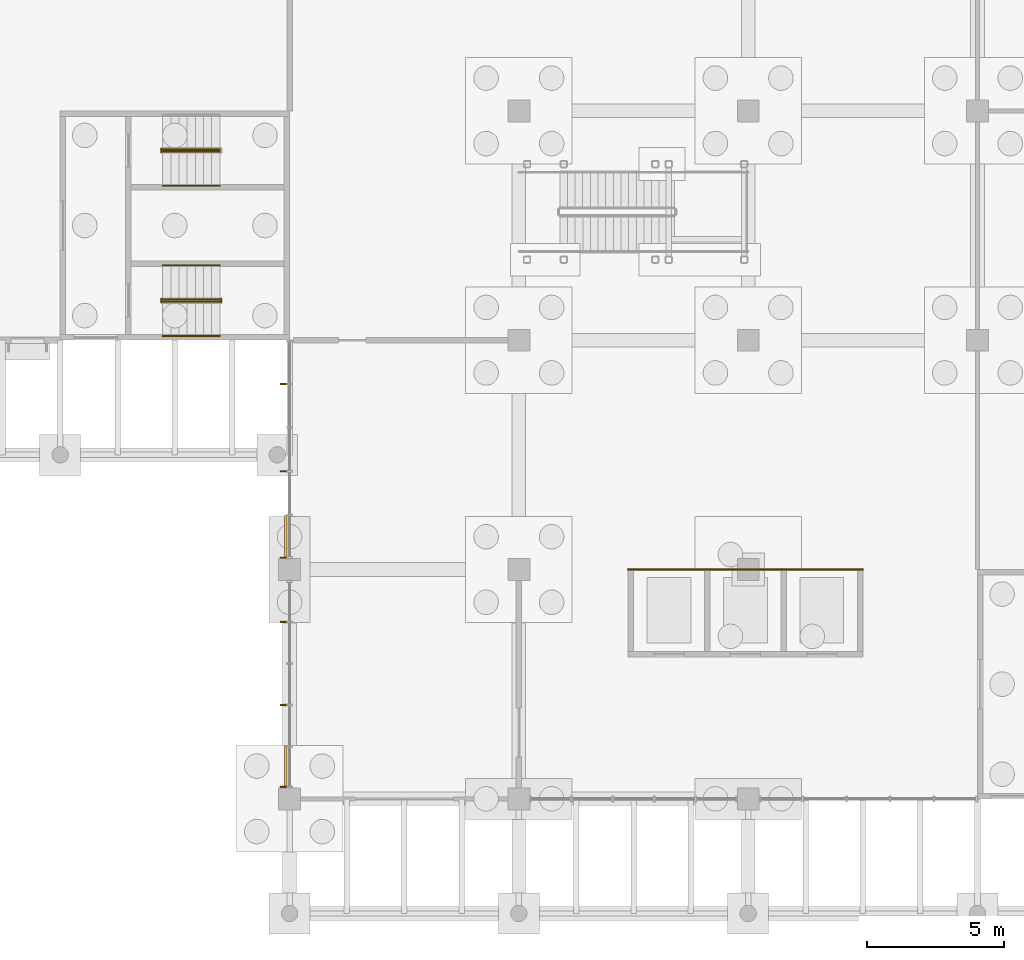
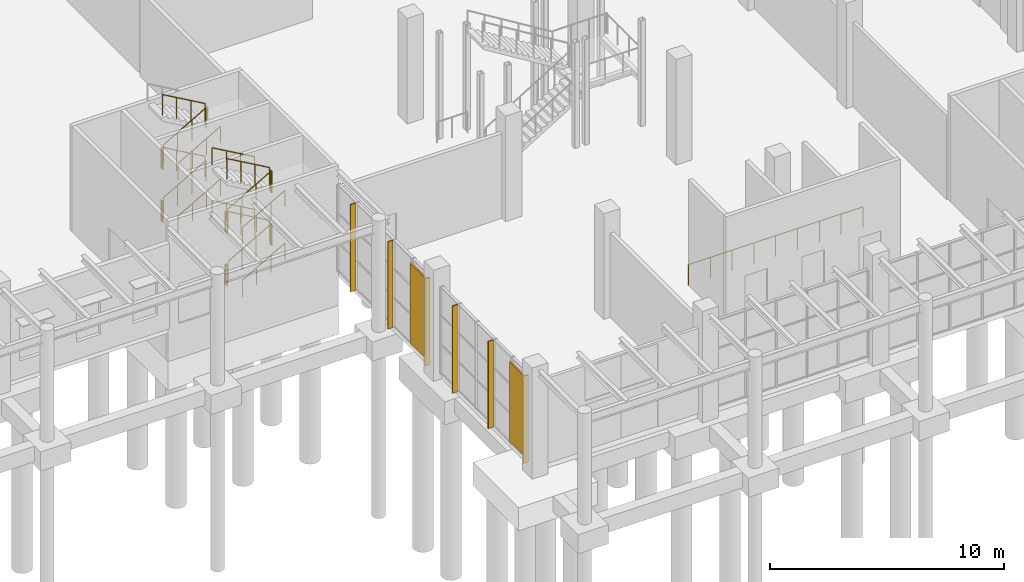
# One storey, part 70 of 82: 21 railings, 8 shading devices.
"""IFC4 building model written with IfcOpenShell, lengths in metres."""

from ifc_helpers import new_model, si_unit, direction, frame, origin, origin_2d, place, context, subcontext, project, spatial, rectangle, circle, extrude, material, material_profile, profile_set, type_object, element, save


model = new_model("IFC4")

# Units and contexts
model_context = context("Model", 3, precision=1e-05, world=origin(), true_north=direction((0.0, 1.0)))
body_context = subcontext(model_context, "Body", "Model", "MODEL_VIEW")
ifc_project = project(units=[si_unit("LENGTHUNIT", "METRE"), si_unit("AREAUNIT", "SQUARE_METRE"), si_unit("VOLUMEUNIT", "CUBIC_METRE"), si_unit("PLANEANGLEUNIT", "RADIAN"), si_unit("MASSUNIT", "GRAM", prefix="KILO")], contexts=[model_context])

# Site, building, storey
site_placement = place(None, origin())
site = spatial("IfcSite", under=ifc_project, at=site_placement, CompositionType="ELEMENT")
building_placement = place(site_placement, origin())
building = spatial("IfcBuilding", under=site, at=building_placement, Name="Almond Square Museum", CompositionType="ELEMENT")
storey_placement = place(building_placement, origin())
storey = spatial("IfcBuildingStorey", under=building, at=storey_placement, Name="L00", CompositionType="ELEMENT", Elevation=0.0)

# Railings
ifc_material_1 = material(Name="Laminated glass and stainless steel", Category="steel")
railing_type_1 = type_object("IfcRailingType", Name="Atrium guard 1100 glass balustrade", PredefinedType="GUARDRAIL", material=ifc_material_1)
railing_1_placement = place(storey_placement, frame((85.60009765625, 75.60009765625, 0.0)))
element("IfcRailing", 1, at=railing_1_placement, inside=storey, type_object=railing_type_1, Name="L00 atrium lift bank guard", PredefinedType="GUARDRAIL", context=body_context, shape_type="SweptSolid", body=[
    extrude(circle(Radius=0.02392578125, at=origin_2d()), frame((0.0, 0.0, 1.076171875), z_axis=(1.0, 0.0, 0.0), x_axis=(0.0, 1.0, 0.0)), (0.0, 0.0, 1.0), 8.599853515625),
    extrude(circle(Radius=0.02099609375, at=origin_2d()), origin(), (0.0, 0.0, 1.0), 1.052001953125),
    extrude(circle(Radius=0.02099609375, at=origin_2d()), frame((1.074951171875, 0.0, 0.0)), (0.0, 0.0, 1.0), 1.052001953125),
    extrude(circle(Radius=0.02099609375, at=origin_2d()), frame((2.14990234375, 0.0, 0.0)), (0.0, 0.0, 1.0), 1.052001953125),
    extrude(circle(Radius=0.02099609375, at=origin_2d()), frame((3.224853515625, 0.0, 0.0)), (0.0, 0.0, 1.0), 1.052001953125),
    extrude(circle(Radius=0.02099609375, at=origin_2d()), frame((4.2998046875, 0.0, 0.0)), (0.0, 0.0, 1.0), 1.052001953125),
    extrude(circle(Radius=0.02099609375, at=origin_2d()), frame((5.375, 0.0, 0.0)), (0.0, 0.0, 1.0), 1.052001953125),
    extrude(circle(Radius=0.02099609375, at=origin_2d()), frame((6.449951171875, 0.0, 0.0)), (0.0, 0.0, 1.0), 1.052001953125),
    extrude(circle(Radius=0.02099609375, at=origin_2d()), frame((7.52490234375, 0.0, 0.0)), (0.0, 0.0, 1.0), 1.052001953125),
    extrude(circle(Radius=0.02099609375, at=origin_2d()), frame((8.599853515625, 0.0, 0.0)), (0.0, 0.0, 1.0), 1.052001953125),
])
ifc_material_2 = material(Name="Stainless steel and laminated glass", Category="steel")
railing_type_2 = type_object("IfcRailingType", Name="Stair guard 1100 steel and glass", PredefinedType="GUARDRAIL", material=ifc_material_2)
railing_2_placement = place(storey_placement, frame((68.550048828125, 85.409912109375, 0.171875)))
element("IfcRailing", 2, at=railing_2_placement, inside=storey, type_object=railing_type_2, Name="L00 ST-19 stair guard 1", PredefinedType="GUARDRAIL", context=body_context, shape_type="SweptSolid", body=[
    extrude(circle(Radius=0.02392578125, at=origin_2d()), frame((0.0, 0.0, 1.076171875), z_axis=(0.867671429157, 0.0, 0.497138100556), x_axis=(0.0, 1.0, 0.0)), (0.0, 0.0, 1.0), 2.420166015625),
    extrude(circle(Radius=0.02099609375, at=origin_2d()), origin(), (0.0, 0.0, 1.0), 1.052001953125),
    extrude(circle(Radius=0.02099609375, at=origin_2d()), frame((0.699951171875, 0.0, 0.401123046875)), (0.0, 0.0, 1.0), 1.052001953125),
    extrude(circle(Radius=0.02099609375, at=origin_2d()), frame((1.39990234375, 0.0, 0.802001953125)), (0.0, 0.0, 1.0), 1.052001953125),
    extrude(circle(Radius=0.02099609375, at=origin_2d()), frame((2.099853515625, 0.0, 1.203125)), (0.0, 0.0, 1.0), 1.052001953125),
])
railing_3_placement = place(storey_placement, frame((70.699951171875, 85.3798828125, 1.375)))
element("IfcRailing", 3, at=railing_3_placement, inside=storey, type_object=railing_type_2, Name="L00 ST-19 stair guard 2", PredefinedType="GUARDRAIL", context=body_context, shape_type="SweptSolid", body=[
    extrude(circle(Radius=0.02392578125, at=origin_2d()), frame((0.0, 0.0, 1.076171875), z_axis=(0.0, 1.0, 0.0), x_axis=(-1.0, 0.0, 0.0)), (0.0, 0.0, 1.0), 0.14013671875),
    extrude(circle(Radius=0.02099609375, at=origin_2d()), origin(), (0.0, 0.0, 1.0), 1.052001953125),
    extrude(circle(Radius=0.02099609375, at=origin_2d()), frame((0.0, 0.14013671875, 0.0)), (0.0, 0.0, 1.0), 1.052001953125),
])
railing_4_placement = place(storey_placement, frame((70.64990234375, 85.489990234375, 1.546875)))
element("IfcRailing", 4, at=railing_4_placement, inside=storey, type_object=railing_type_2, Name="L00 ST-19 stair guard 3", PredefinedType="GUARDRAIL", context=body_context, shape_type="SweptSolid", body=[
    extrude(circle(Radius=0.02392578125, at=origin_2d()), frame((0.0, 0.0, 1.076171875), z_axis=(-0.867671429157, 0.0, 0.497138100556), x_axis=(0.0, -1.0, 0.0)), (0.0, 0.0, 1.0), 2.420166015625),
    extrude(circle(Radius=0.02099609375, at=origin_2d()), origin(), (0.0, 0.0, 1.0), 1.052001953125),
    extrude(circle(Radius=0.02099609375, at=origin_2d()), frame((-0.699951171875, 0.0, 0.401123046875)), (0.0, 0.0, 1.0), 1.052001953125),
    extrude(circle(Radius=0.02099609375, at=origin_2d()), frame((-1.39990234375, 0.0, 0.802001953125)), (0.0, 0.0, 1.0), 1.052001953125),
    extrude(circle(Radius=0.02099609375, at=origin_2d()), frame((-2.099853515625, 0.0, 1.203125)), (0.0, 0.0, 1.0), 1.052001953125),
])
railing_5_placement = place(storey_placement, frame((68.5, 85.3798828125, 2.75)))
element("IfcRailing", 5, at=railing_5_placement, inside=storey, type_object=railing_type_2, Name="L00 ST-19 stair guard 4", PredefinedType="GUARDRAIL", context=body_context, shape_type="SweptSolid", body=[
    extrude(circle(Radius=0.02392578125, at=origin_2d()), frame((0.0, 0.0, 1.076171875), z_axis=(0.0, 1.0, 0.0), x_axis=(-1.0, 0.0, 0.0)), (0.0, 0.0, 1.0), 0.14013671875),
    extrude(circle(Radius=0.02099609375, at=origin_2d()), origin(), (0.0, 0.0, 1.0), 1.052001953125),
    extrude(circle(Radius=0.02099609375, at=origin_2d()), frame((0.0, 0.14013671875, 0.0)), (0.0, 0.0, 1.0), 1.052001953125),
])
railing_6_placement = place(storey_placement, frame((68.550048828125, 85.409912109375, 2.921875)))
element("IfcRailing", 6, at=railing_6_placement, inside=storey, type_object=railing_type_2, Name="L00 ST-19 stair guard 5", PredefinedType="GUARDRAIL", context=body_context, shape_type="SweptSolid", body=[
    extrude(circle(Radius=0.02392578125, at=origin_2d()), frame((0.0, 0.0, 1.076171875), z_axis=(0.867671429157, 0.0, 0.497138100556), x_axis=(0.0, 1.0, 0.0)), (0.0, 0.0, 1.0), 2.420166015625),
    extrude(circle(Radius=0.02099609375, at=origin_2d()), origin(), (0.0, 0.0, 1.0), 1.052001953125),
    extrude(circle(Radius=0.02099609375, at=origin_2d()), frame((0.699951171875, 0.0, 0.401123046875)), (0.0, 0.0, 1.0), 1.052001953125),
    extrude(circle(Radius=0.02099609375, at=origin_2d()), frame((1.39990234375, 0.0, 0.802001953125)), (0.0, 0.0, 1.0), 1.052001953125),
    extrude(circle(Radius=0.02099609375, at=origin_2d()), frame((2.099853515625, 0.0, 1.203125)), (0.0, 0.0, 1.0), 1.052001953125),
])
railing_7_placement = place(storey_placement, frame((70.699951171875, 85.3798828125, 4.125)))
element("IfcRailing", 7, at=railing_7_placement, inside=storey, type_object=railing_type_2, Name="L00 ST-19 stair guard 6", PredefinedType="GUARDRAIL", context=body_context, shape_type="SweptSolid", body=[
    extrude(circle(Radius=0.02392578125, at=origin_2d()), frame((0.0, 0.0, 1.076171875), z_axis=(0.0, 1.0, 0.0), x_axis=(-1.0, 0.0, 0.0)), (0.0, 0.0, 1.0), 0.14013671875),
    extrude(circle(Radius=0.02099609375, at=origin_2d()), origin(), (0.0, 0.0, 1.0), 1.052001953125),
    extrude(circle(Radius=0.02099609375, at=origin_2d()), frame((0.0, 0.14013671875, 0.0)), (0.0, 0.0, 1.0), 1.052001953125),
])
railing_8_placement = place(storey_placement, frame((70.64990234375, 85.489990234375, 4.296875)))
element("IfcRailing", 8, at=railing_8_placement, inside=storey, type_object=railing_type_2, Name="L00 ST-19 stair guard 7", PredefinedType="GUARDRAIL", context=body_context, shape_type="SweptSolid", body=[
    extrude(circle(Radius=0.02392578125, at=origin_2d()), frame((0.0, 0.0, 1.076171875), z_axis=(-0.867671429157, 0.0, 0.497138100556), x_axis=(0.0, -1.0, 0.0)), (0.0, 0.0, 1.0), 2.420166015625),
    extrude(circle(Radius=0.02099609375, at=origin_2d()), origin(), (0.0, 0.0, 1.0), 1.052001953125),
    extrude(circle(Radius=0.02099609375, at=origin_2d()), frame((-0.699951171875, 0.0, 0.401123046875)), (0.0, 0.0, 1.0), 1.052001953125),
    extrude(circle(Radius=0.02099609375, at=origin_2d()), frame((-1.39990234375, 0.0, 0.802001953125)), (0.0, 0.0, 1.0), 1.052001953125),
    extrude(circle(Radius=0.02099609375, at=origin_2d()), frame((-2.099853515625, 0.0, 1.203125)), (0.0, 0.0, 1.0), 1.052001953125),
])
railing_9_placement = place(storey_placement, frame((68.5, 85.3798828125, 0.0)))
element("IfcRailing", 9, at=railing_9_placement, inside=storey, type_object=railing_type_2, Name="L00 ST-19 stair guard 8", PredefinedType="GUARDRAIL", context=body_context, shape_type="SweptSolid", body=[
    extrude(circle(Radius=0.02392578125, at=origin_2d()), frame((0.0, 0.0, 1.076171875), z_axis=(0.0, 1.0, 0.0), x_axis=(-1.0, 0.0, 0.0)), (0.0, 0.0, 1.0), 0.14013671875),
    extrude(circle(Radius=0.02099609375, at=origin_2d()), origin(), (0.0, 0.0, 1.0), 1.052001953125),
    extrude(circle(Radius=0.02099609375, at=origin_2d()), frame((0.0, 0.14013671875, 0.0)), (0.0, 0.0, 1.0), 1.052001953125),
])
railing_10_placement = place(storey_placement, frame((68.550048828125, 90.909912109375, 0.171875)))
element("IfcRailing", 10, at=railing_10_placement, inside=storey, type_object=railing_type_2, Name="L00 ST-20 stair guard 1", PredefinedType="GUARDRAIL", context=body_context, shape_type="SweptSolid", body=[
    extrude(circle(Radius=0.02392578125, at=origin_2d()), frame((0.0, 0.0, 1.076171875), z_axis=(0.867671429157, 0.0, 0.497138100556), x_axis=(0.0, 1.0, 0.0)), (0.0, 0.0, 1.0), 2.420166015625),
    extrude(circle(Radius=0.02099609375, at=origin_2d()), origin(), (0.0, 0.0, 1.0), 1.052001953125),
    extrude(circle(Radius=0.02099609375, at=origin_2d()), frame((0.699951171875, 0.0, 0.401123046875)), (0.0, 0.0, 1.0), 1.052001953125),
    extrude(circle(Radius=0.02099609375, at=origin_2d()), frame((1.39990234375, 0.0, 0.802001953125)), (0.0, 0.0, 1.0), 1.052001953125),
    extrude(circle(Radius=0.02099609375, at=origin_2d()), frame((2.099853515625, 0.0, 1.203125)), (0.0, 0.0, 1.0), 1.052001953125),
])
railing_11_placement = place(storey_placement, frame((70.64990234375, 90.989990234375, 1.546875)))
element("IfcRailing", 11, at=railing_11_placement, inside=storey, type_object=railing_type_2, Name="L00 ST-20 stair guard 3", PredefinedType="GUARDRAIL", context=body_context, shape_type="SweptSolid", body=[
    extrude(circle(Radius=0.02392578125, at=origin_2d()), frame((0.0, 0.0, 1.076171875), z_axis=(-0.867671429157, 0.0, 0.497138100556), x_axis=(0.0, -1.0, 0.0)), (0.0, 0.0, 1.0), 2.420166015625),
    extrude(circle(Radius=0.02099609375, at=origin_2d()), origin(), (0.0, 0.0, 1.0), 1.052001953125),
    extrude(circle(Radius=0.02099609375, at=origin_2d()), frame((-0.699951171875, 0.0, 0.401123046875)), (0.0, 0.0, 1.0), 1.052001953125),
    extrude(circle(Radius=0.02099609375, at=origin_2d()), frame((-1.39990234375, 0.0, 0.802001953125)), (0.0, 0.0, 1.0), 1.052001953125),
    extrude(circle(Radius=0.02099609375, at=origin_2d()), frame((-2.099853515625, 0.0, 1.203125)), (0.0, 0.0, 1.0), 1.052001953125),
])
railing_12_placement = place(storey_placement, frame((68.5, 90.8798828125, 2.75)))
element("IfcRailing", 12, at=railing_12_placement, inside=storey, type_object=railing_type_2, Name="L00 ST-20 stair guard 4", PredefinedType="GUARDRAIL", context=body_context, shape_type="SweptSolid", body=[
    extrude(circle(Radius=0.02392578125, at=origin_2d()), frame((0.0, 0.0, 1.076171875), z_axis=(0.0, 1.0, 0.0), x_axis=(-1.0, 0.0, 0.0)), (0.0, 0.0, 1.0), 0.14013671875),
    extrude(circle(Radius=0.02099609375, at=origin_2d()), origin(), (0.0, 0.0, 1.0), 1.052001953125),
    extrude(circle(Radius=0.02099609375, at=origin_2d()), frame((0.0, 0.14013671875, 0.0)), (0.0, 0.0, 1.0), 1.052001953125),
])
railing_13_placement = place(storey_placement, frame((68.550048828125, 90.909912109375, 2.921875)))
element("IfcRailing", 13, at=railing_13_placement, inside=storey, type_object=railing_type_2, Name="L00 ST-20 stair guard 5", PredefinedType="GUARDRAIL", context=body_context, shape_type="SweptSolid", body=[
    extrude(circle(Radius=0.02392578125, at=origin_2d()), frame((0.0, 0.0, 1.076171875), z_axis=(0.867671429157, 0.0, 0.497138100556), x_axis=(0.0, 1.0, 0.0)), (0.0, 0.0, 1.0), 2.420166015625),
    extrude(circle(Radius=0.02099609375, at=origin_2d()), origin(), (0.0, 0.0, 1.0), 1.052001953125),
    extrude(circle(Radius=0.02099609375, at=origin_2d()), frame((0.699951171875, 0.0, 0.401123046875)), (0.0, 0.0, 1.0), 1.052001953125),
    extrude(circle(Radius=0.02099609375, at=origin_2d()), frame((1.39990234375, 0.0, 0.802001953125)), (0.0, 0.0, 1.0), 1.052001953125),
    extrude(circle(Radius=0.02099609375, at=origin_2d()), frame((2.099853515625, 0.0, 1.203125)), (0.0, 0.0, 1.0), 1.052001953125),
])
railing_14_placement = place(storey_placement, frame((70.64990234375, 90.989990234375, 4.296875)))
element("IfcRailing", 14, at=railing_14_placement, inside=storey, type_object=railing_type_2, Name="L00 ST-20 stair guard 7", PredefinedType="GUARDRAIL", context=body_context, shape_type="SweptSolid", body=[
    extrude(circle(Radius=0.02392578125, at=origin_2d()), frame((0.0, 0.0, 1.076171875), z_axis=(-0.867671429157, 0.0, 0.497138100556), x_axis=(0.0, -1.0, 0.0)), (0.0, 0.0, 1.0), 2.420166015625),
    extrude(circle(Radius=0.02099609375, at=origin_2d()), origin(), (0.0, 0.0, 1.0), 1.052001953125),
    extrude(circle(Radius=0.02099609375, at=origin_2d()), frame((-0.699951171875, 0.0, 0.401123046875)), (0.0, 0.0, 1.0), 1.052001953125),
    extrude(circle(Radius=0.02099609375, at=origin_2d()), frame((-1.39990234375, 0.0, 0.802001953125)), (0.0, 0.0, 1.0), 1.052001953125),
    extrude(circle(Radius=0.02099609375, at=origin_2d()), frame((-2.099853515625, 0.0, 1.203125)), (0.0, 0.0, 1.0), 1.052001953125),
])
railing_15_placement = place(storey_placement, frame((68.5, 90.8798828125, 0.0)))
element("IfcRailing", 15, at=railing_15_placement, inside=storey, type_object=railing_type_2, Name="L00 ST-20 stair guard 8", PredefinedType="GUARDRAIL", context=body_context, shape_type="SweptSolid", body=[
    extrude(circle(Radius=0.02392578125, at=origin_2d()), frame((0.0, 0.0, 1.076171875), z_axis=(0.0, 1.0, 0.0), x_axis=(-1.0, 0.0, 0.0)), (0.0, 0.0, 1.0), 0.14013671875),
    extrude(circle(Radius=0.02099609375, at=origin_2d()), origin(), (0.0, 0.0, 1.0), 1.052001953125),
    extrude(circle(Radius=0.02099609375, at=origin_2d()), frame((0.0, 0.14013671875, 0.0)), (0.0, 0.0, 1.0), 1.052001953125),
])
ifc_material_3 = material(Name="Stainless steel", Category="steel")
railing_type_3 = type_object("IfcRailingType", Name="Stair handrail 900 steel", PredefinedType="HANDRAIL", material=ifc_material_3)
railing_16_placement = place(storey_placement, frame((68.550048828125, 84.155029296875, 0.171875)))
element("IfcRailing", 16, at=railing_16_placement, inside=storey, type_object=railing_type_3, Name="L00 ST-19 stair handrail 1", PredefinedType="HANDRAIL", context=body_context, shape_type="SweptSolid", body=[
    extrude(circle(Radius=0.02392578125, at=origin_2d()), frame((0.0, 0.0, 0.8759765625), z_axis=(0.867671429157, 0.0, 0.497138100556), x_axis=(0.0, 1.0, 0.0)), (0.0, 0.0, 1.0), 2.420166015625),
    extrude(circle(Radius=0.02099609375, at=origin_2d()), origin(), (0.0, 0.0, 1.0), 0.851806640625),
    extrude(circle(Radius=0.02099609375, at=origin_2d()), frame((0.699951171875, 0.0, 0.401123046875)), (0.0, 0.0, 1.0), 0.851806640625),
    extrude(circle(Radius=0.02099609375, at=origin_2d()), frame((1.39990234375, 0.0, 0.802001953125)), (0.0, 0.0, 1.0), 0.851806640625),
    extrude(circle(Radius=0.02099609375, at=origin_2d()), frame((2.099853515625, 0.0, 1.203125)), (0.0, 0.0, 1.0), 0.851806640625),
])
railing_17_placement = place(storey_placement, frame((70.64990234375, 86.7451171875, 1.546875)))
element("IfcRailing", 17, at=railing_17_placement, inside=storey, type_object=railing_type_3, Name="L00 ST-19 stair handrail 2", PredefinedType="HANDRAIL", context=body_context, shape_type="SweptSolid", body=[
    extrude(circle(Radius=0.02392578125, at=origin_2d()), frame((0.0, 0.0, 0.8759765625), z_axis=(-0.867671429157, 0.0, 0.497138100556), x_axis=(0.0, -1.0, 0.0)), (0.0, 0.0, 1.0), 2.420166015625),
    extrude(circle(Radius=0.02099609375, at=origin_2d()), origin(), (0.0, 0.0, 1.0), 0.851806640625),
    extrude(circle(Radius=0.02099609375, at=origin_2d()), frame((-0.699951171875, 0.0, 0.401123046875)), (0.0, 0.0, 1.0), 0.851806640625),
    extrude(circle(Radius=0.02099609375, at=origin_2d()), frame((-1.39990234375, 0.0, 0.802001953125)), (0.0, 0.0, 1.0), 0.851806640625),
    extrude(circle(Radius=0.02099609375, at=origin_2d()), frame((-2.099853515625, 0.0, 1.203125)), (0.0, 0.0, 1.0), 0.851806640625),
])
railing_18_placement = place(storey_placement, frame((68.550048828125, 84.155029296875, 2.921875)))
element("IfcRailing", 18, at=railing_18_placement, inside=storey, type_object=railing_type_3, Name="L00 ST-19 stair handrail 3", PredefinedType="HANDRAIL", context=body_context, shape_type="SweptSolid", body=[
    extrude(circle(Radius=0.02392578125, at=origin_2d()), frame((0.0, 0.0, 0.8759765625), z_axis=(0.867671429157, 0.0, 0.497138100556), x_axis=(0.0, 1.0, 0.0)), (0.0, 0.0, 1.0), 2.420166015625),
    extrude(circle(Radius=0.02099609375, at=origin_2d()), origin(), (0.0, 0.0, 1.0), 0.851806640625),
    extrude(circle(Radius=0.02099609375, at=origin_2d()), frame((0.699951171875, 0.0, 0.401123046875)), (0.0, 0.0, 1.0), 0.851806640625),
    extrude(circle(Radius=0.02099609375, at=origin_2d()), frame((1.39990234375, 0.0, 0.802001953125)), (0.0, 0.0, 1.0), 0.851806640625),
    extrude(circle(Radius=0.02099609375, at=origin_2d()), frame((2.099853515625, 0.0, 1.203125)), (0.0, 0.0, 1.0), 0.851806640625),
])
railing_19_placement = place(storey_placement, frame((70.64990234375, 86.7451171875, 4.296875)))
element("IfcRailing", 19, at=railing_19_placement, inside=storey, type_object=railing_type_3, Name="L00 ST-19 stair handrail 4", PredefinedType="HANDRAIL", context=body_context, shape_type="SweptSolid", body=[
    extrude(circle(Radius=0.02392578125, at=origin_2d()), frame((0.0, 0.0, 0.8759765625), z_axis=(-0.867671429157, 0.0, 0.497138100556), x_axis=(0.0, -1.0, 0.0)), (0.0, 0.0, 1.0), 2.420166015625),
    extrude(circle(Radius=0.02099609375, at=origin_2d()), origin(), (0.0, 0.0, 1.0), 0.851806640625),
    extrude(circle(Radius=0.02099609375, at=origin_2d()), frame((-0.699951171875, 0.0, 0.401123046875)), (0.0, 0.0, 1.0), 0.851806640625),
    extrude(circle(Radius=0.02099609375, at=origin_2d()), frame((-1.39990234375, 0.0, 0.802001953125)), (0.0, 0.0, 1.0), 0.851806640625),
    extrude(circle(Radius=0.02099609375, at=origin_2d()), frame((-2.099853515625, 0.0, 1.203125)), (0.0, 0.0, 1.0), 0.851806640625),
])
for number, where, name in (
    (20, (68.550048828125, 89.655029296875, 0.171875), "L00 ST-20 stair handrail 1"),
    (21, (68.550048828125, 89.655029296875, 2.921875), "L00 ST-20 stair handrail 3"),
):
    element("IfcRailing", number, at=place(storey_placement, frame(where)), inside=storey, type_object=railing_type_3, Name=name, PredefinedType="HANDRAIL", context=body_context, shape_type="SweptSolid", body=[
        extrude(circle(Radius=0.02392578125, at=origin_2d()), frame((0.0, 0.0, 0.8759765625), z_axis=(0.867671429157, 0.0, 0.497138100556), x_axis=(0.0, 1.0, 0.0)), (0.0, 0.0, 1.0), 2.420166015625),
        extrude(circle(Radius=0.02099609375, at=origin_2d()), origin(), (0.0, 0.0, 1.0), 0.851806640625),
        extrude(circle(Radius=0.02099609375, at=origin_2d()), frame((0.699951171875, 0.0, 0.401123046875)), (0.0, 0.0, 1.0), 0.851806640625),
        extrude(circle(Radius=0.02099609375, at=origin_2d()), frame((1.39990234375, 0.0, 0.802001953125)), (0.0, 0.0, 1.0), 0.851806640625),
        extrude(circle(Radius=0.02099609375, at=origin_2d()), frame((2.099853515625, 0.0, 1.203125)), (0.0, 0.0, 1.0), 0.851806640625),
    ])

# Shading devices
ifc_material_4 = material(Name="Anodised aluminium louvre", Category="aluminium")
shading_device_type_1 = type_object("IfcShadingDeviceType", Name="Storm louvre shutter", PredefinedType="SHUTTER", material=ifc_material_4)
shading_device_1_placement = place(storey_placement, frame((73.06201171875, 76.81494140625, 0.199951171875), z_axis=(0.0, 0.0, 1.0), x_axis=(1.0, 0.0, 0.0)))
element("IfcShadingDevice", 22, at=shading_device_1_placement, inside=storey, type_object=shading_device_type_1, Name="Storm louvre shutter", PredefinedType="SHUTTER", context=body_context, shape_type="SweptSolid", body=[
    extrude(rectangle(XDim=0.080078125, YDim=1.570068359375, at=origin_2d()), origin(), (0.0, 0.0, 1.0), 4.14990234375),
])
shading_device_2_placement = place(storey_placement, frame((73.06201171875, 68.375, 0.199951171875), z_axis=(0.0, 0.0, 1.0), x_axis=(1.0, 0.0, 0.0)))
element("IfcShadingDevice", 23, at=shading_device_2_placement, inside=storey, type_object=shading_device_type_1, Name="Storm louvre shutter", PredefinedType="SHUTTER", context=body_context, shape_type="SweptSolid", body=[
    extrude(rectangle(XDim=0.080078125, YDim=1.489990234375, at=origin_2d()), origin(), (0.0, 0.0, 1.0), 4.14990234375),
])
ifc_material_5 = material(Name="Cedar timber fin", Category="wood")
ifc_material_profile = material_profile(ifc_material_5, rectangle(XDim=0.25, YDim=0.050048828125, at=origin_2d()))
ifc_profile_set = profile_set([ifc_material_profile], Name="Cedar timber fin")
shading_device_type_2 = type_object("IfcShadingDeviceType", Name="Timber fin 250 x 50", PredefinedType="USERDEFINED", material=ifc_profile_set)
for number, where, z_axis, x_axis, name in (
    (24, (72.97705078125, 76.030029296875, 0.0), (0.0, 0.0, 1.0), (-1.0, 0.0, 0.0), "Timber fin"),
    (25, (72.97705078125, 79.199951171875, 0.0), (0.0, 0.0, 1.0), (-1.0, 0.0, 0.0), "Timber fin"),
    (26, (72.97705078125, 82.39990234375, 0.0), (0.0, 0.0, 1.0), (-1.0, 0.0, 0.0), "Timber fin"),
    (27, (72.97705078125, 67.6298828125, 0.0), (0.0, 0.0, 1.0), (-1.0, 0.0, 0.0), "Timber fin"),
    (28, (72.97705078125, 70.639892578125, 0.0), (0.0, 0.0, 1.0), (-1.0, 0.0, 0.0), "Timber fin"),
    (29, (72.97705078125, 73.679931640625, 0.0), (0.0, 0.0, 1.0), (-1.0, 0.0, 0.0), "Timber fin"),
):
    element("IfcShadingDevice", number, at=place(storey_placement, frame(where, z_axis=z_axis, x_axis=x_axis)), inside=storey, type_object=shading_device_type_2, Name=name, ObjectType="FIN", PredefinedType="USERDEFINED", context=body_context, shape_type="SweptSolid", body=[
        extrude(rectangle(XDim=0.25, YDim=0.050048828125, at=origin_2d()), origin(), (0.0, 0.0, 1.0), 4.550048828125),
    ])

save(model, "model.ifc")
